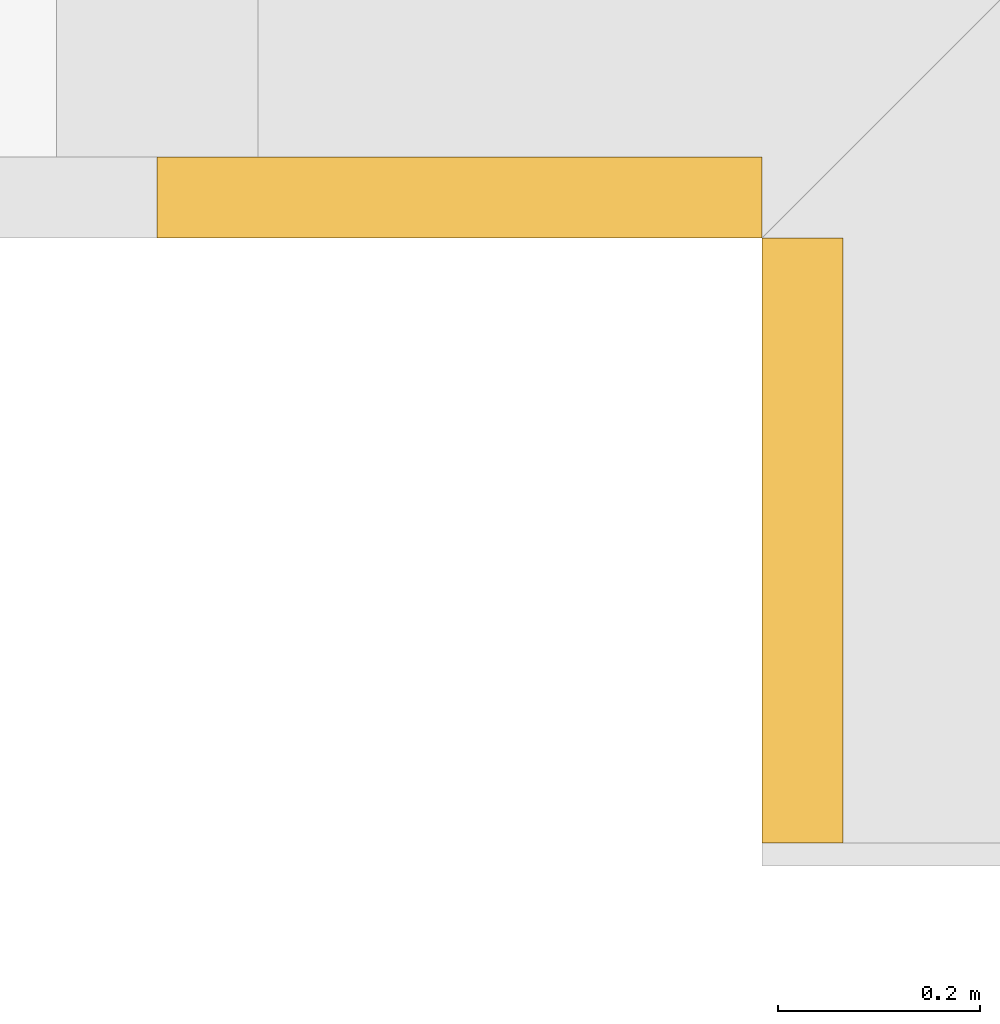
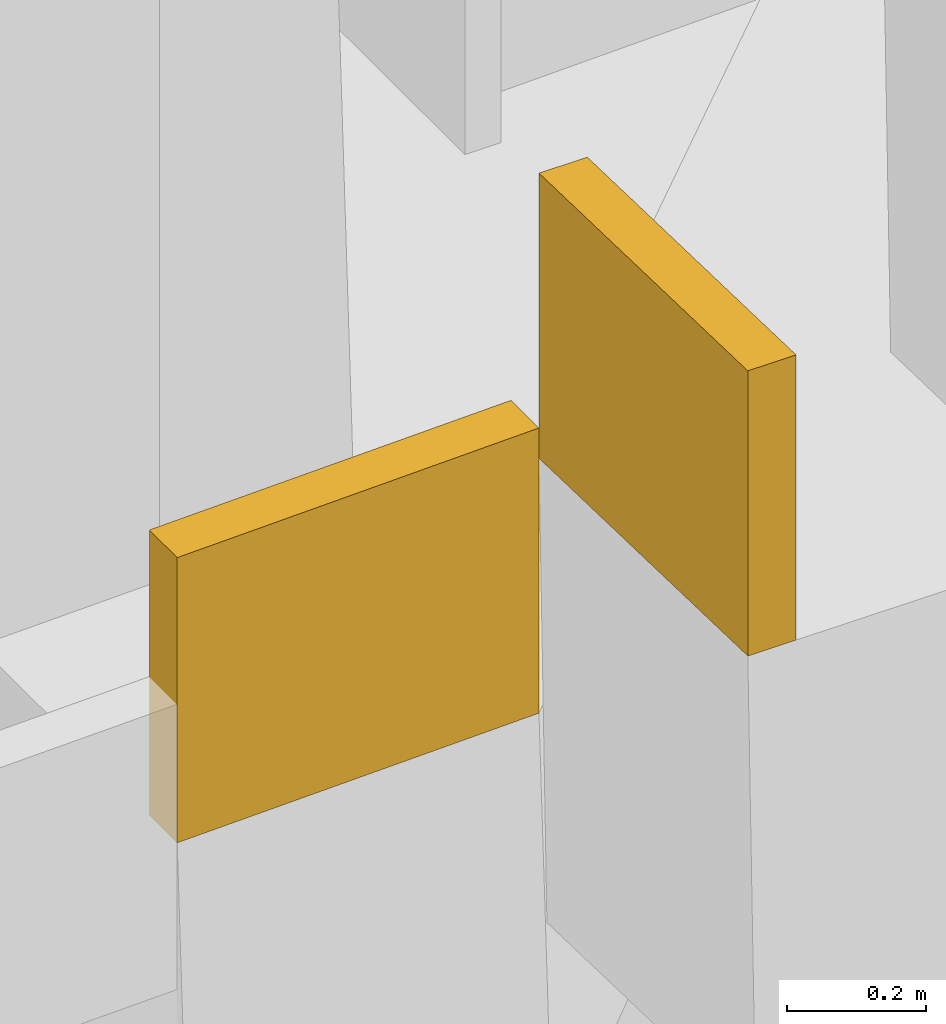
# One storey, part 26 of 27: 2 coverings.
"""IFC4 building model written with IfcOpenShell, lengths in metres."""

import ifcopenshell
import ifcopenshell.guid

model = None  # the IFC model being written
_history = None  # IfcOwnerHistory: only IFC2X3 demands one
_inside = {}  # id of a spatial element -> (the spatial element, [elements in it])
_under = {}  # id of a project, library or spatial element -> (it, [spatial elements below it])
_declared = {}  # id of a project -> (the project, [libraries it declares])
_typed = {}  # id of a type object -> (the type object, [elements of that type])
_made_of = {}  # id of a material, layer set ... -> (it, [elements and type objects made of it])


def new_model(schema):
    """Start an empty IFC model of exactly this schema.

    Asked for "IFC4X3", IfcOpenShell would pick the latest addendum, in which some entities
    have other attributes; the version numbers below select the first issue.
    IFC2X3 requires an IfcOwnerHistory on every rooted entity: one is made here for all.
    """
    global model, _history
    if schema == "IFC4X3":
        model = ifcopenshell.file(schema_version=(4, 3, 0, 0))
    else:
        model = ifcopenshell.file(schema=schema)
    _inside.clear()
    _under.clear()
    _declared.clear()
    _typed.clear()
    _made_of.clear()
    _history = None
    if model.schema == "IFC2X3":
        org = make("IfcOrganization", Name="unknown")
        user = make(
            "IfcPersonAndOrganization",
            ThePerson=make("IfcPerson", FamilyName="unknown"),
            TheOrganization=org,
        )
        app = make(
            "IfcApplication",
            ApplicationDeveloper=org,
            Version="unknown",
            ApplicationFullName="unknown",
            ApplicationIdentifier="unknown",
        )
        _history = make(
            "IfcOwnerHistory",
            OwningUser=user,
            OwningApplication=app,
            ChangeAction="ADDED",
            CreationDate=0,
        )
    return model


def make(cls, **values):
    """One entity of the class cls with the attributes given. An attribute that is None is left unset."""
    return model.create_entity(
        cls, **{name: value for name, value in values.items() if value is not None}
    )


def rooted(cls, **values):
    """An entity with a GlobalId (a new one), such as an element, a storey or a relation."""
    return make(cls, GlobalId=ifcopenshell.guid.new(), OwnerHistory=_history, **values)


def si_unit(unit_type, name, prefix=None):
    """IfcSIUnit, for example si_unit("LENGTHUNIT", "METRE", prefix="MILLI")."""
    return make("IfcSIUnit", UnitType=unit_type, Prefix=prefix, Name=name)


def assignment(units):
    """IfcUnitAssignment: the units of a project."""
    return None if units is None else make("IfcUnitAssignment", Units=units)


def point(xyz):
    """IfcCartesianPoint."""
    return None if xyz is None else make("IfcCartesianPoint", Coordinates=xyz)


def direction(xyz):
    """IfcDirection."""
    return None if xyz is None else make("IfcDirection", DirectionRatios=xyz)


def frame(location, z_axis=None, x_axis=None):
    """IfcAxis2Placement3D, a coordinate frame: its origin and axes. An axis left out is left unset."""
    return make(
        "IfcAxis2Placement3D",
        Location=point(location),
        Axis=direction(z_axis),
        RefDirection=direction(x_axis),
    )


def origin():
    """The frame at (0, 0, 0) with its axes left unset."""
    return frame((0.0, 0.0, 0.0))


def place(relative_to, where):
    """IfcLocalPlacement: puts the frame where relative to a parent placement (None: the world)."""
    return make(
        "IfcLocalPlacement", PlacementRelTo=relative_to, RelativePlacement=where
    )


def context(
    kind, dimensions, precision=None, world=None, true_north=None, identifier=None
):
    """IfcGeometricRepresentationContext, for example the 3D "Model" context."""
    return make(
        "IfcGeometricRepresentationContext",
        ContextIdentifier=identifier,
        ContextType=kind,
        CoordinateSpaceDimension=dimensions,
        Precision=precision,
        WorldCoordinateSystem=world,
        TrueNorth=true_north,
    )


def subcontext(parent, identifier, kind, view, scale=None):
    """IfcGeometricRepresentationSubContext, for example "Body" below "Model"."""
    return make(
        "IfcGeometricRepresentationSubContext",
        ContextIdentifier=identifier,
        ContextType=kind,
        ParentContext=parent,
        TargetScale=scale,
        TargetView=view,
    )


def project(units=None, contexts=None):
    """IfcProject with its units and contexts."""
    return rooted(
        "IfcProject",
        Name="project",
        RepresentationContexts=contexts,
        UnitsInContext=assignment(units),
    )


def spatial(cls, under=None, at=None, **own):
    """A site, building, storey or space (cls), placed at a placement, below another one or the project."""
    s = rooted(cls, ObjectPlacement=at, **own)
    if under is not None:
        _under.setdefault(under.id(), (under, []))[1].append(s)
    return s


def polyline(points):
    """IfcPolyline through the points."""
    return make("IfcPolyline", Points=[point(p) for p in points])


def outline(outer, holes=None, kind="AREA"):
    """IfcArbitraryClosedProfileDef: a profile drawn as a closed curve; with holes, ...WithVoids."""
    if holes is None:
        return make("IfcArbitraryClosedProfileDef", ProfileType=kind, OuterCurve=outer)
    return make(
        "IfcArbitraryProfileDefWithVoids",
        ProfileType=kind,
        OuterCurve=outer,
        InnerCurves=holes,
    )


def extrude(swept, where, along, depth):
    """IfcExtrudedAreaSolid: the profile swept, set in the frame where, extruded along a direction by depth."""
    return make(
        "IfcExtrudedAreaSolid",
        SweptArea=swept,
        Position=where,
        ExtrudedDirection=direction(along),
        Depth=depth,
    )


def shape(context_of_items, identifier, shape_type, items):
    """IfcShapeRepresentation: the items that make up one representation, for example the "Body"."""
    return make(
        "IfcShapeRepresentation",
        ContextOfItems=context_of_items,
        RepresentationIdentifier=identifier,
        RepresentationType=shape_type,
        Items=items,
    )


def material(Name=None, Category=None):
    """IfcMaterial."""
    return make("IfcMaterial", Name=Name, Category=Category)


def layer(
    of_material, thickness, ventilated=None, Name=None, Category=None, Priority=None
):
    """IfcMaterialLayer: one layer of a wall or slab, of a material (None: an air gap)."""
    return make(
        "IfcMaterialLayer",
        Material=of_material,
        LayerThickness=thickness,
        IsVentilated=ventilated,
        Name=Name,
        Category=Category,
        Priority=Priority,
    )


def layer_set(layers, Name=None):
    """IfcMaterialLayerSet."""
    return make("IfcMaterialLayerSet", MaterialLayers=layers, LayerSetName=Name)


def made_of(thing, what):
    """Note that an element or type object is made of a material, layer set ...; save() writes the relation."""
    if what is not None:
        _made_of.setdefault(what.id(), (what, []))[1].append(thing)
    return thing


def type_object(cls, material=None, **own):
    """A type object (cls), such as IfcWallType, which elements share."""
    return made_of(rooted(cls, **own), material)


def element(
    cls,
    number,
    at=None,
    inside=None,
    cuts=None,
    type_object=None,
    material=None,
    context=None,
    identifier="Body",
    shape_type=None,
    held_by="IfcProductDefinitionShape",
    body=None,
    shapes=None,
    **own,
):
    """One element of the class cls, such as IfcWall. Its Tag is "e" and its number.

    at: its placement. inside: the storey or other place that contains it. cuts: it is an
    opening in that element (IfcRelVoidsElement). A single representation is given by context,
    identifier, shape_type and body (its items); several are given by shapes. held_by: the class
    of the entity that holds the representations. save() writes the other relations.
    """
    e = rooted(cls, Tag="e%d" % number, ObjectPlacement=at, **own)
    if body is not None:
        shapes = [shape(context, identifier, shape_type, body)]
    if shapes is not None:
        e.Representation = make(held_by, Representations=shapes)
    if inside is not None:
        _inside.setdefault(inside.id(), (inside, []))[1].append(e)
    if cuts is not None:
        rooted(
            "IfcRelVoidsElement", RelatingBuildingElement=cuts, RelatedOpeningElement=e
        )
    if type_object is not None:
        _typed.setdefault(type_object.id(), (type_object, []))[1].append(e)
    return made_of(e, material)


def aggregate(whole, parts):
    """IfcRelAggregates: a whole, such as a stair, and the parts it consists of."""
    return rooted("IfcRelAggregates", RelatingObject=whole, RelatedObjects=parts)


def save(model, path):
    """Write the relations noted so far, then the file.

    IfcRelAggregates (storeys below a building ...), IfcRelContainedInSpatialStructure (elements
    in a storey), IfcRelDefinesByType, IfcRelAssociatesMaterial and IfcRelDeclares: one each for
    every whole, place, type object, material and project.
    """
    for whole, parts in _under.values():
        aggregate(whole, parts)
    for where, things in _inside.values():
        rooted(
            "IfcRelContainedInSpatialStructure",
            RelatedElements=things,
            RelatingStructure=where,
        )
    for kind, things in _typed.values():
        rooted("IfcRelDefinesByType", RelatedObjects=things, RelatingType=kind)
    for what, things in _made_of.values():
        rooted("IfcRelAssociatesMaterial", RelatedObjects=things, RelatingMaterial=what)
    for by, libraries in _declared.values():
        rooted("IfcRelDeclares", RelatingContext=by, RelatedDefinitions=libraries)
    model.write(path)


model = new_model("IFC4")

# Units and contexts
model_context = context("Model", 3, precision=1e-05, world=origin(), true_north=direction((0.0, 1.0)))
body_context = subcontext(model_context, "Body", "Model", "MODEL_VIEW")
ifc_project = project(units=[si_unit("LENGTHUNIT", "METRE"), si_unit("AREAUNIT", "SQUARE_METRE"), si_unit("VOLUMEUNIT", "CUBIC_METRE"), si_unit("PLANEANGLEUNIT", "RADIAN"), si_unit("MASSUNIT", "GRAM", prefix="KILO")], contexts=[model_context])

# Site, building, storey
site_placement = place(None, origin())
site = spatial("IfcSite", under=ifc_project, at=site_placement, CompositionType="ELEMENT")
building_placement = place(site_placement, origin())
building = spatial("IfcBuilding", under=site, at=building_placement, Name="Saffron Gate Tower", CompositionType="ELEMENT")
storey_placement = place(building_placement, frame((0.0, 0.0, 76.800048828125)))
storey = spatial("IfcBuildingStorey", under=building, at=storey_placement, Name="L18", CompositionType="ELEMENT", Elevation=76.800048828125)

# Coverings
ifc_material = material(Name="Timber, thermally modified ash", Category="wood")
ifc_layer = layer(ifc_material, 0.080078125)
ifc_layer_set = layer_set([ifc_layer], Name="LD2 ledge planter trough")
covering_type = type_object("IfcCoveringType", Name="LD2 ledge planter trough", PredefinedType="CLADDING", material=ifc_layer_set)
covering_1_placement = place(storey_placement, frame((49.800048828125, 32.39990234375, 3.024658203125), z_axis=(0.0, -1.0, 0.0), x_axis=(0.999582742162, 0.0, 0.028884971385)))
element("IfcCovering", 1, at=covering_1_placement, inside=storey, type_object=covering_type, Name="LEDGE planter trough", PredefinedType="CLADDING", context=body_context, shape_type="SweptSolid", body=[
    extrude(outline(polyline([(0.0, 0.0), (0.6001039136866089, 0.0), (0.614546399379222, 0.4997913710809928), (0.014442485692613144, 0.49979137108099286), (0.0, 0.0)])), origin(), (0.0, 0.0, -1.0), 0.080078125),
])
covering_2_placement = place(storey_placement, frame((50.39990234375, 32.39990234375, 3.48876953125), z_axis=(-1.0, 0.0, 0.0), x_axis=(0.0, -0.999594406032, 0.028478473106)))
element("IfcCovering", 2, at=covering_2_placement, inside=storey, type_object=covering_type, Name="LEDGE planter trough", PredefinedType="CLADDING", context=body_context, shape_type="SweptSolid", body=[
    extrude(outline(polyline([(0.0, 0.0), (0.6000969113127241, 0.0), (0.6143361478658799, 0.49979720301576647), (0.01423923655315574, 0.49979720301576647), (0.0, 0.0)])), origin(), (0.0, 0.0, -1.0), 0.080078125),
])

save(model, "model.ifc")
